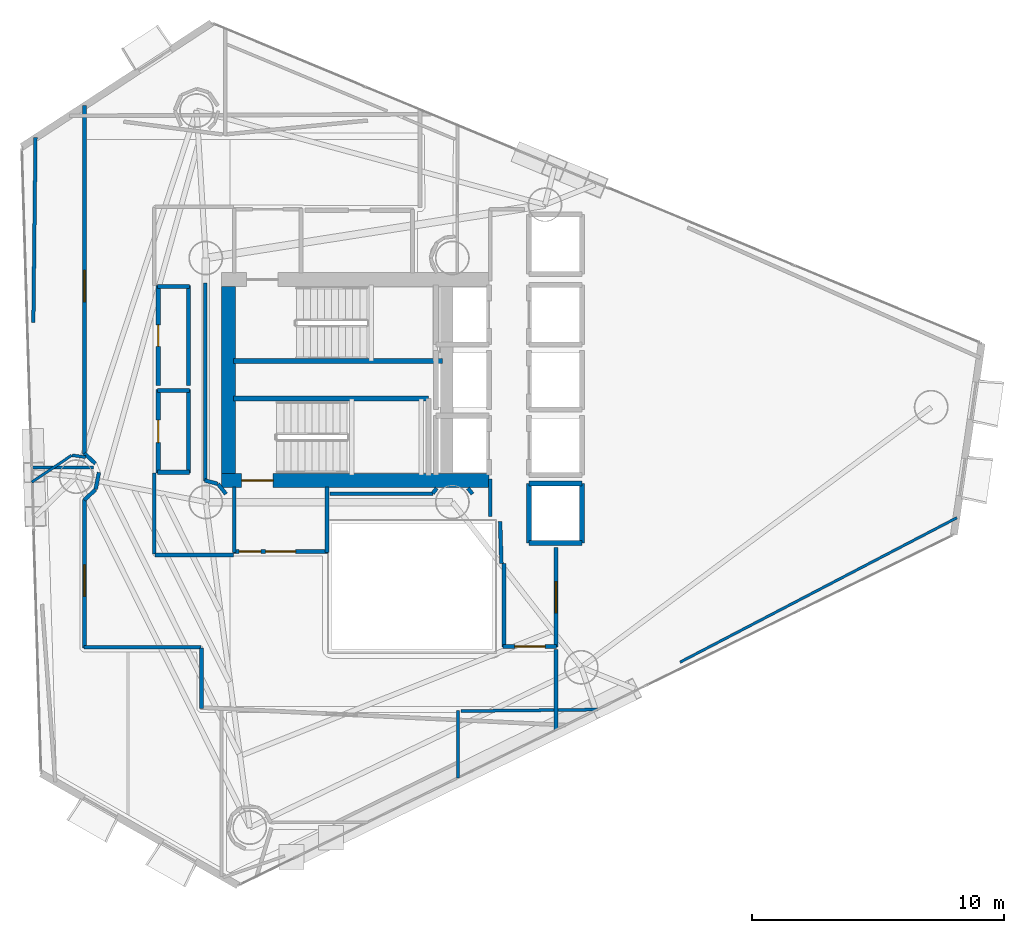
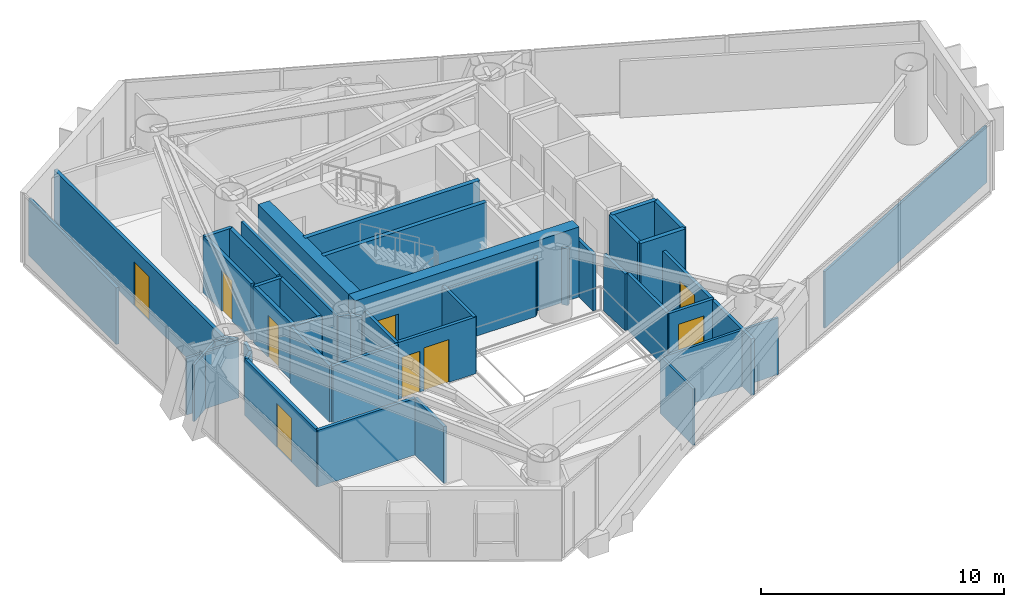
# One storey, part 18 of 22: 46 walls, 9 doors, 9 openings.
"""IFC4 building model written with IfcOpenShell, lengths in metres."""

import ifcopenshell
import ifcopenshell.guid

model = None  # the IFC model being written
_history = None  # IfcOwnerHistory: only IFC2X3 demands one
_inside = {}  # id of a spatial element -> (the spatial element, [elements in it])
_under = {}  # id of a project, library or spatial element -> (it, [spatial elements below it])
_declared = {}  # id of a project -> (the project, [libraries it declares])
_typed = {}  # id of a type object -> (the type object, [elements of that type])
_made_of = {}  # id of a material, layer set ... -> (it, [elements and type objects made of it])


def new_model(schema):
    """Start an empty IFC model of exactly this schema.

    Asked for "IFC4X3", IfcOpenShell would pick the latest addendum, in which some entities
    have other attributes; the version numbers below select the first issue.
    IFC2X3 requires an IfcOwnerHistory on every rooted entity: one is made here for all.
    """
    global model, _history
    if schema == "IFC4X3":
        model = ifcopenshell.file(schema_version=(4, 3, 0, 0))
    else:
        model = ifcopenshell.file(schema=schema)
    _inside.clear()
    _under.clear()
    _declared.clear()
    _typed.clear()
    _made_of.clear()
    _history = None
    if model.schema == "IFC2X3":
        org = make("IfcOrganization", Name="unknown")
        user = make(
            "IfcPersonAndOrganization",
            ThePerson=make("IfcPerson", FamilyName="unknown"),
            TheOrganization=org,
        )
        app = make(
            "IfcApplication",
            ApplicationDeveloper=org,
            Version="unknown",
            ApplicationFullName="unknown",
            ApplicationIdentifier="unknown",
        )
        _history = make(
            "IfcOwnerHistory",
            OwningUser=user,
            OwningApplication=app,
            ChangeAction="ADDED",
            CreationDate=0,
        )
    return model


def make(cls, **values):
    """One entity of the class cls with the attributes given. An attribute that is None is left unset."""
    return model.create_entity(
        cls, **{name: value for name, value in values.items() if value is not None}
    )


def rooted(cls, **values):
    """An entity with a GlobalId (a new one), such as an element, a storey or a relation."""
    return make(cls, GlobalId=ifcopenshell.guid.new(), OwnerHistory=_history, **values)


def si_unit(unit_type, name, prefix=None):
    """IfcSIUnit, for example si_unit("LENGTHUNIT", "METRE", prefix="MILLI")."""
    return make("IfcSIUnit", UnitType=unit_type, Prefix=prefix, Name=name)


def assignment(units):
    """IfcUnitAssignment: the units of a project."""
    return None if units is None else make("IfcUnitAssignment", Units=units)


def point(xyz):
    """IfcCartesianPoint."""
    return None if xyz is None else make("IfcCartesianPoint", Coordinates=xyz)


def direction(xyz):
    """IfcDirection."""
    return None if xyz is None else make("IfcDirection", DirectionRatios=xyz)


def frame(location, z_axis=None, x_axis=None):
    """IfcAxis2Placement3D, a coordinate frame: its origin and axes. An axis left out is left unset."""
    return make(
        "IfcAxis2Placement3D",
        Location=point(location),
        Axis=direction(z_axis),
        RefDirection=direction(x_axis),
    )


def frame_2d(location, x_axis=None):
    """IfcAxis2Placement2D, a coordinate frame in the plane: its origin and x axis."""
    return make(
        "IfcAxis2Placement2D", Location=point(location), RefDirection=direction(x_axis)
    )


def origin():
    """The frame at (0, 0, 0) with its axes left unset."""
    return frame((0.0, 0.0, 0.0))


def place(relative_to, where):
    """IfcLocalPlacement: puts the frame where relative to a parent placement (None: the world)."""
    return make(
        "IfcLocalPlacement", PlacementRelTo=relative_to, RelativePlacement=where
    )


def context(
    kind, dimensions, precision=None, world=None, true_north=None, identifier=None
):
    """IfcGeometricRepresentationContext, for example the 3D "Model" context."""
    return make(
        "IfcGeometricRepresentationContext",
        ContextIdentifier=identifier,
        ContextType=kind,
        CoordinateSpaceDimension=dimensions,
        Precision=precision,
        WorldCoordinateSystem=world,
        TrueNorth=true_north,
    )


def subcontext(parent, identifier, kind, view, scale=None):
    """IfcGeometricRepresentationSubContext, for example "Body" below "Model"."""
    return make(
        "IfcGeometricRepresentationSubContext",
        ContextIdentifier=identifier,
        ContextType=kind,
        ParentContext=parent,
        TargetScale=scale,
        TargetView=view,
    )


def project(units=None, contexts=None):
    """IfcProject with its units and contexts."""
    return rooted(
        "IfcProject",
        Name="project",
        RepresentationContexts=contexts,
        UnitsInContext=assignment(units),
    )


def spatial(cls, under=None, at=None, **own):
    """A site, building, storey or space (cls), placed at a placement, below another one or the project."""
    s = rooted(cls, ObjectPlacement=at, **own)
    if under is not None:
        _under.setdefault(under.id(), (under, []))[1].append(s)
    return s


def profile(cls, at=None, kind="AREA", **sizes):
    """A parametric profile (cls). Its sizes go by their IFC names, for example OverallWidth=200.0."""
    return make(cls, ProfileType=kind, Position=at, **sizes)


def rectangle(**sizes):
    """IfcRectangleProfileDef."""
    return profile("IfcRectangleProfileDef", **sizes)


def extrude(swept, where, along, depth):
    """IfcExtrudedAreaSolid: the profile swept, set in the frame where, extruded along a direction by depth."""
    return make(
        "IfcExtrudedAreaSolid",
        SweptArea=swept,
        Position=where,
        ExtrudedDirection=direction(along),
        Depth=depth,
    )


def shape(context_of_items, identifier, shape_type, items):
    """IfcShapeRepresentation: the items that make up one representation, for example the "Body"."""
    return make(
        "IfcShapeRepresentation",
        ContextOfItems=context_of_items,
        RepresentationIdentifier=identifier,
        RepresentationType=shape_type,
        Items=items,
    )


def material(Name=None, Category=None):
    """IfcMaterial."""
    return make("IfcMaterial", Name=Name, Category=Category)


def layer(
    of_material, thickness, ventilated=None, Name=None, Category=None, Priority=None
):
    """IfcMaterialLayer: one layer of a wall or slab, of a material (None: an air gap)."""
    return make(
        "IfcMaterialLayer",
        Material=of_material,
        LayerThickness=thickness,
        IsVentilated=ventilated,
        Name=Name,
        Category=Category,
        Priority=Priority,
    )


def layer_set(layers, Name=None):
    """IfcMaterialLayerSet."""
    return make("IfcMaterialLayerSet", MaterialLayers=layers, LayerSetName=Name)


def made_of(thing, what):
    """Note that an element or type object is made of a material, layer set ...; save() writes the relation."""
    if what is not None:
        _made_of.setdefault(what.id(), (what, []))[1].append(thing)
    return thing


def type_object(cls, material=None, **own):
    """A type object (cls), such as IfcWallType, which elements share."""
    return made_of(rooted(cls, **own), material)


def element(
    cls,
    number,
    at=None,
    inside=None,
    cuts=None,
    type_object=None,
    material=None,
    context=None,
    identifier="Body",
    shape_type=None,
    held_by="IfcProductDefinitionShape",
    body=None,
    shapes=None,
    **own,
):
    """One element of the class cls, such as IfcWall. Its Tag is "e" and its number.

    at: its placement. inside: the storey or other place that contains it. cuts: it is an
    opening in that element (IfcRelVoidsElement). A single representation is given by context,
    identifier, shape_type and body (its items); several are given by shapes. held_by: the class
    of the entity that holds the representations. save() writes the other relations.
    """
    e = rooted(cls, Tag="e%d" % number, ObjectPlacement=at, **own)
    if body is not None:
        shapes = [shape(context, identifier, shape_type, body)]
    if shapes is not None:
        e.Representation = make(held_by, Representations=shapes)
    if inside is not None:
        _inside.setdefault(inside.id(), (inside, []))[1].append(e)
    if cuts is not None:
        rooted(
            "IfcRelVoidsElement", RelatingBuildingElement=cuts, RelatedOpeningElement=e
        )
    if type_object is not None:
        _typed.setdefault(type_object.id(), (type_object, []))[1].append(e)
    return made_of(e, material)


def fill(opening, filler):
    """IfcRelFillsElement: the door or window that sits in an opening."""
    return rooted(
        "IfcRelFillsElement",
        RelatingOpeningElement=opening,
        RelatedBuildingElement=filler,
    )


def aggregate(whole, parts):
    """IfcRelAggregates: a whole, such as a stair, and the parts it consists of."""
    return rooted("IfcRelAggregates", RelatingObject=whole, RelatedObjects=parts)


def save(model, path):
    """Write the relations noted so far, then the file.

    IfcRelAggregates (storeys below a building ...), IfcRelContainedInSpatialStructure (elements
    in a storey), IfcRelDefinesByType, IfcRelAssociatesMaterial and IfcRelDeclares: one each for
    every whole, place, type object, material and project.
    """
    for whole, parts in _under.values():
        aggregate(whole, parts)
    for where, things in _inside.values():
        rooted(
            "IfcRelContainedInSpatialStructure",
            RelatedElements=things,
            RelatingStructure=where,
        )
    for kind, things in _typed.values():
        rooted("IfcRelDefinesByType", RelatedObjects=things, RelatingType=kind)
    for what, things in _made_of.values():
        rooted("IfcRelAssociatesMaterial", RelatedObjects=things, RelatingMaterial=what)
    for by, libraries in _declared.values():
        rooted("IfcRelDeclares", RelatingContext=by, RelatedDefinitions=libraries)
    model.write(path)


model = new_model("IFC4")

# Units and contexts
model_context = context("Model", 3, precision=1e-05, world=origin(), true_north=direction((0.0, 1.0)))
body_context = subcontext(model_context, "Body", "Model", "MODEL_VIEW")
ifc_project = project(units=[si_unit("LENGTHUNIT", "METRE"), si_unit("AREAUNIT", "SQUARE_METRE"), si_unit("VOLUMEUNIT", "CUBIC_METRE"), si_unit("PLANEANGLEUNIT", "RADIAN"), si_unit("MASSUNIT", "GRAM", prefix="KILO")], contexts=[model_context])

# Site, building, storey
site_placement = place(None, origin())
site = spatial("IfcSite", under=ifc_project, at=site_placement, CompositionType="ELEMENT")
building_placement = place(site_placement, origin())
building = spatial("IfcBuilding", under=site, at=building_placement, Name="Qianvela Tower", CompositionType="ELEMENT")
storey_placement = place(building_placement, frame((0.0, 0.0, 155.0)))
storey = spatial("IfcBuildingStorey", under=building, at=storey_placement, Name="L39", CompositionType="ELEMENT", Elevation=155.0)

# Wall, opening, door
ifc_material_1 = material(Name="Concrete C60", Category="concrete")
ifc_layer_1 = layer(ifc_material_1, 0.550048828125)
ifc_layer_set_1 = layer_set([ifc_layer_1], Name="Concrete C60")
wall_type_1 = type_object("IfcWallType", Name="WT-CORE-550", PredefinedType="SHEAR", material=ifc_layer_set_1)
wall_1_placement = place(storey_placement, frame((29.22998046875, 24.705078125, 0.0), z_axis=(0.0, 0.0, 1.0), x_axis=(1.0, 0.0, 0.0)))
wall_1 = element("IfcWall", 1, at=wall_1_placement, inside=storey, type_object=wall_type_1, Name="L39 South Core Shear Wall", PredefinedType="SHEAR", context=body_context, shape_type="SweptSolid", body=[
    extrude(rectangle(XDim=10.6201171875, YDim=0.550048828125, at=frame_2d((5.31005859375, 0.0))), origin(), (0.0, 0.0, 1.0), 3.52001953125),
])
opening_1_placement = place(wall_1_placement, frame((0.794921875, 0.0, 0.0)))
opening_1 = element("IfcOpeningElement", 2, at=opening_1_placement, cuts=wall_1, Name="Opening D-ST1", PredefinedType="OPENING", context=body_context, shape_type="SweptSolid", body=[
    extrude(rectangle(XDim=1.25, YDim=2.14990234375, at=frame_2d((0.625, 1.074951171875))), frame((0.0, 0.284912109375, 0.0), z_axis=(0.0, -1.0, 0.0), x_axis=(1.0, 0.0, 0.0)), (0.0, 0.0, 1.0), 0.570068359375),
])
ifc_material_2 = material(Name="Galvanised Fire Steel Q355B", Category="steel")
door_type_1 = type_object("IfcDoorType", Name="DT-STAIR-FD90", OperationType="NOTDEFINED", PredefinedType="DOOR", material=ifc_material_2)
door_1_placement = place(opening_1_placement, origin())
door_1 = element("IfcDoor", 3, at=door_1_placement, inside=storey, type_object=door_type_1, Name="L39 Stair ST-2 Exit Door", OperationType="SINGLE_SWING_LEFT", OverallHeight=2.14990234375, OverallWidth=1.25, PredefinedType="DOOR", context=body_context, shape_type="SweptSolid", body=[
    extrude(rectangle(XDim=1.25, YDim=2.14990234375, at=frame_2d((0.625, 1.074951171875))), frame((0.0, 0.02490234375, 0.0), z_axis=(0.0, -1.0, 0.0), x_axis=(1.0, 0.0, 0.0)), (0.0, 0.0, 1.0), 0.050048828125),
])
fill(opening_1, door_1)

# Wall
wall_2_placement = place(storey_placement, frame((29.5048828125, 24.97998046875, 0.0), z_axis=(0.0, 0.0, 1.0), x_axis=(0.0, 1.0, 0.0)))
element("IfcWall", 4, at=wall_2_placement, inside=storey, type_object=wall_type_1, Name="L39 West Core Shear Wall", PredefinedType="SHEAR", context=body_context, shape_type="SweptSolid", body=[
    extrude(rectangle(XDim=7.43994140625, YDim=0.550048828125, at=frame_2d((3.719970703125, 0.0))), origin(), (0.0, 0.0, 1.0), 3.52001953125),
])

# Wall, openings, doors
ifc_material_3 = material(Name="Fire-Rated Acoustic Gypsum Board")
ifc_layer_2 = layer(ifc_material_3, 0.14990234375)
ifc_layer_set_2 = layer_set([ifc_layer_2], Name="Fire-Rated Acoustic Gypsum Board")
wall_type_2 = type_object("IfcWallType", Name="WT-CORR-150", PredefinedType="PARTITIONING", material=ifc_layer_set_2)
wall_3_placement = place(storey_placement, frame((33.449951171875, 21.881103515625, 0.0), z_axis=(0.0, 0.0, 1.0), x_axis=(-1.0, 0.0, 0.0)))
wall_3 = element("IfcWall", 5, at=wall_3_placement, inside=storey, type_object=wall_type_2, Name="L39 Partition 5", PredefinedType="PARTITIONING", context=body_context, shape_type="SweptSolid", body=[
    extrude(rectangle(XDim=3.75, YDim=0.14990234375, at=frame_2d((1.875, 0.0))), origin(), (0.0, 0.0, 1.0), 2.840087890625),
])
opening_2_placement = place(wall_3_placement, frame((1.27490234375, 0.0, 0.0)))
opening_2 = element("IfcOpeningElement", 6, at=opening_2_placement, cuts=wall_3, Name="Opening D-LB1", PredefinedType="OPENING", context=body_context, shape_type="SweptSolid", body=[
    extrude(rectangle(XDim=1.199951171875, YDim=2.14990234375, at=frame_2d((0.60009765625, 1.074951171875))), frame((0.0, 0.0849609375, 0.0), z_axis=(0.0, -1.0, 0.0), x_axis=(1.0, 0.0, 0.0)), (0.0, 0.0, 1.0), 0.169921875),
])
opening_3_placement = place(wall_3_placement, frame((2.659912109375, 0.0, 0.0)))
opening_3 = element("IfcOpeningElement", 7, at=opening_3_placement, cuts=wall_3, Name="Opening D-LB2", PredefinedType="OPENING", context=body_context, shape_type="SweptSolid", body=[
    extrude(rectangle(XDim=0.860107421875, YDim=2.050048828125, at=frame_2d((0.43017578125, 1.02490234375))), frame((0.0, 0.0849609375, 0.0), z_axis=(0.0, -1.0, 0.0), x_axis=(1.0, 0.0, 0.0)), (0.0, 0.0, 1.0), 0.169921875),
])
ifc_material_4 = material(Name="Glazed Fire-Rated Steel Frame", Category="steel")
door_type_2 = type_object("IfcDoorType", Name="DT-LOBBY-FD90", OperationType="NOTDEFINED", PredefinedType="DOOR", material=ifc_material_4)
door_2_placement = place(opening_2_placement, origin())
door_2 = element("IfcDoor", 8, at=door_2_placement, inside=storey, type_object=door_type_2, Name="L39 Door L39 Firefighting Lobby South to L39 Floor Corridor", OperationType="SINGLE_SWING_RIGHT", OverallHeight=2.14990234375, OverallWidth=1.199951171875, PredefinedType="DOOR", context=body_context, shape_type="SweptSolid", body=[
    extrude(rectangle(XDim=1.199951171875, YDim=2.14990234375, at=frame_2d((0.60009765625, 1.074951171875))), frame((0.0, 0.02490234375, 0.0), z_axis=(0.0, -1.0, 0.0), x_axis=(1.0, 0.0, 0.0)), (0.0, 0.0, 1.0), 0.050048828125),
])
fill(opening_2, door_2)
ifc_material_5 = material(Name="Insulated Steel Fire Door Q355B", Category="steel")
door_type_3 = type_object("IfcDoorType", Name="DT-LOBBY-FD90-860", OperationType="NOTDEFINED", PredefinedType="DOOR", material=ifc_material_5)
door_3_placement = place(opening_3_placement, origin())
door_3 = element("IfcDoor", 9, at=door_3_placement, inside=storey, type_object=door_type_3, Name="L39 Door L39 Firefighting Lobby South to L39 Floor Corridor", OperationType="SINGLE_SWING_RIGHT", OverallHeight=2.050048828125, OverallWidth=0.860107421875, PredefinedType="DOOR", context=body_context, shape_type="SweptSolid", body=[
    extrude(rectangle(XDim=0.860107421875, YDim=2.050048828125, at=frame_2d((0.43017578125, 1.02490234375))), frame((0.0, 0.02490234375, 0.0), z_axis=(0.0, -1.0, 0.0), x_axis=(1.0, 0.0, 0.0)), (0.0, 0.0, 1.0), 0.050048828125),
])
fill(opening_3, door_3)

# Walls
for number, where, z_axis, x_axis, name in (
    (10, (29.73095703125, 21.85009765625, 0.0), (0.0, 0.0, 1.0), (0.0, 1.0, 0.0), "L39 Partition 6"),
    (11, (33.4189453125, 24.44189453125, 0.0), (0.0, 0.0, 1.0), (0.0, -1.0, 0.0), "L39 Partition 8"),
):
    element("IfcWall", number, at=place(storey_placement, frame(where, z_axis=z_axis, x_axis=x_axis)), inside=storey, type_object=wall_type_2, Name=name, PredefinedType="PARTITIONING", context=body_context, shape_type="SweptSolid", body=[
        extrude(rectangle(XDim=2.591796875, YDim=0.14990234375, at=frame_2d((1.2958984375, 0.0))), origin(), (0.0, 0.0, 1.0), 2.840087890625),
    ])
wall_4_placement = place(storey_placement, frame((40.35107421875, 21.40087890625, 0.0), z_axis=(0.0, 0.0, 1.0), x_axis=(-0.031058045979, 0.999517582527, 0.0)))
element("IfcWall", 12, at=wall_4_placement, inside=storey, type_object=wall_type_2, Name="L39 Partition 9", PredefinedType="PARTITIONING", context=body_context, shape_type="SweptSolid", body=[
    extrude(rectangle(XDim=1.68212890625, YDim=0.14990234375, at=frame_2d((0.841064453125, 0.0))), origin(), (0.0, 0.0, 1.0), 2.840087890625),
])
wall_5_placement = place(storey_placement, frame((39.910888671875, 23.280029296875, 0.0), z_axis=(0.0, 0.0, 1.0), x_axis=(0.0, 1.0, 0.0)))
element("IfcWall", 13, at=wall_5_placement, inside=storey, type_object=wall_type_2, Name="L39 Partition 10", PredefinedType="PARTITIONING", context=body_context, shape_type="SweptSolid", body=[
    extrude(rectangle(XDim=1.47998046875, YDim=0.14990234375, at=frame_2d((0.739990234375, 0.0))), origin(), (0.0, 0.0, 1.0), 2.840087890625),
])

# Wall, opening, door
wall_6_placement = place(storey_placement, frame((42.51904296875, 22.050048828125, 0.0), z_axis=(0.0, 0.0, 1.0), x_axis=(0.0, -1.0, 0.0)))
wall_6 = element("IfcWall", 14, at=wall_6_placement, inside=storey, type_object=wall_type_2, Name="L39 Partition 17", PredefinedType="PARTITIONING", context=body_context, shape_type="SweptSolid", body=[
    extrude(rectangle(XDim=3.969970703125, YDim=0.14990234375, at=frame_2d((1.98486328125, 0.0))), origin(), (0.0, 0.0, 1.0), 2.840087890625),
])
opening_4_placement = place(wall_6_placement, frame((1.360107421875, 0.0, 0.0)))
opening_4 = element("IfcOpeningElement", 15, at=opening_4_placement, cuts=wall_6, Name="Opening D-LG1", PredefinedType="OPENING", context=body_context, shape_type="SweptSolid", body=[
    extrude(rectangle(XDim=1.25, YDim=2.199951171875, at=frame_2d((0.625, 1.10009765625))), frame((0.0, 0.0849609375, 0.0), z_axis=(0.0, -1.0, 0.0), x_axis=(1.0, 0.0, 0.0)), (0.0, 0.0, 1.0), 0.169921875),
])
ifc_material_6 = material(Name="Anodised Aluminium Acoustic Glass Door", Category="aluminium")
door_type_4 = type_object("IfcDoorType", Name="DT-LOUNGE-1250", OperationType="NOTDEFINED", PredefinedType="DOOR", material=ifc_material_6)
door_4_placement = place(opening_4_placement, origin())
door_4 = element("IfcDoor", 16, at=door_4_placement, inside=storey, type_object=door_type_4, Name="L39 Door Media Practice Cinema L39-03 to L39 Lift Lobby", OperationType="SINGLE_SWING_LEFT", OverallHeight=2.199951171875, OverallWidth=1.25, PredefinedType="DOOR", context=body_context, shape_type="SweptSolid", body=[
    extrude(rectangle(XDim=1.25, YDim=2.199951171875, at=frame_2d((0.625, 1.10009765625))), frame((0.0, 0.02490234375, 0.0), z_axis=(0.0, -1.0, 0.0), x_axis=(1.0, 0.0, 0.0)), (0.0, 0.0, 1.0), 0.050048828125),
])
fill(opening_4, door_4)

wall_7_placement = place(storey_placement, frame((42.550048828125, 18.111083984375, 0.0), z_axis=(0.0, 0.0, 1.0), x_axis=(-1.0, 0.0, 0.0)))
wall_7 = element("IfcWall", 17, at=wall_7_placement, inside=storey, type_object=wall_type_2, Name="L39 Partition 18", PredefinedType="PARTITIONING", context=body_context, shape_type="SweptSolid", body=[
    extrude(rectangle(XDim=2.130126953125, YDim=0.14990234375, at=frame_2d((1.06494140625, 0.0))), origin(), (0.0, 0.0, 1.0), 2.840087890625),
])
opening_5_placement = place(wall_7_placement, frame((0.465087890625, 0.0, 0.0)))
opening_5 = element("IfcOpeningElement", 18, at=opening_5_placement, cuts=wall_7, Name="Opening D-LB1", PredefinedType="OPENING", context=body_context, shape_type="SweptSolid", body=[
    extrude(rectangle(XDim=1.199951171875, YDim=2.14990234375, at=frame_2d((0.60009765625, 1.074951171875))), frame((0.0, 0.0849609375, 0.0), z_axis=(0.0, -1.0, 0.0), x_axis=(1.0, 0.0, 0.0)), (0.0, 0.0, 1.0), 0.169921875),
])
door_5_placement = place(opening_5_placement, origin())
door_5 = element("IfcDoor", 19, at=door_5_placement, inside=storey, type_object=door_type_2, Name="L39 Door L39 Lift Lobby to L39 Floor Corridor", OperationType="SINGLE_SWING_LEFT", OverallHeight=2.14990234375, OverallWidth=1.199951171875, PredefinedType="DOOR", context=body_context, shape_type="SweptSolid", body=[
    extrude(rectangle(XDim=1.199951171875, YDim=2.14990234375, at=frame_2d((0.60009765625, 1.074951171875))), frame((0.0, 0.02490234375, 0.0), z_axis=(0.0, -1.0, 0.0), x_axis=(1.0, 0.0, 0.0)), (0.0, 0.0, 1.0), 0.050048828125),
])
fill(opening_5, door_5)

# Walls
wall_8_placement = place(storey_placement, frame((40.450927734375, 18.080078125, 0.0), z_axis=(0.0, 0.0, 1.0), x_axis=(0.0, 1.0, 0.0)))
element("IfcWall", 20, at=wall_8_placement, inside=storey, type_object=wall_type_2, Name="L39 Partition 19 seg 1", PredefinedType="PARTITIONING", context=body_context, shape_type="SweptSolid", body=[
    extrude(rectangle(XDim=3.31982421875, YDim=0.14990234375, at=frame_2d((1.659912109375, 0.0))), origin(), (0.0, 0.0, 1.0), 2.840087890625),
])
wall_9_placement = place(storey_placement, frame((29.401611328125, 24.169189453125, 0.0), z_axis=(0.0, 0.0, 1.0), x_axis=(-0.622091855036, 0.782944266151, 0.0)))
element("IfcWall", 21, at=wall_9_placement, inside=storey, type_object=wall_type_2, Name="L39 Partition 36", PredefinedType="PARTITIONING", context=body_context, shape_type="SweptSolid", body=[
    extrude(rectangle(XDim=0.50390625, YDim=0.14990234375, at=frame_2d((0.251953125, 0.0))), origin(), (0.0, 0.0, 1.0), 2.840087890625),
])
wall_10_placement = place(storey_placement, frame((29.07177734375, 24.57421875, 0.0), z_axis=(0.0, 0.0, 1.0), x_axis=(-0.966842101769, 0.255374920942, 0.0)))
element("IfcWall", 22, at=wall_10_placement, inside=storey, type_object=wall_type_2, Name="L39 Partition 37", PredefinedType="PARTITIONING", context=body_context, shape_type="SweptSolid", body=[
    extrude(rectangle(XDim=0.531494140625, YDim=0.14990234375, at=frame_2d((0.265625, 0.0))), origin(), (0.0, 0.0, 1.0), 2.840087890625),
])
wall_11_placement = place(storey_placement, frame((28.5810546875, 24.68017578125, 0.0), z_axis=(0.0, 0.0, 1.0), x_axis=(0.0, 1.0, 0.0)))
element("IfcWall", 23, at=wall_11_placement, inside=storey, type_object=wall_type_2, Name="L39 Partition 38", PredefinedType="PARTITIONING", context=body_context, shape_type="SweptSolid", body=[
    extrude(rectangle(XDim=7.869873046875, YDim=0.14990234375, at=frame_2d((3.93505859375, 0.0))), origin(), (0.0, 0.0, 1.0), 2.840087890625),
])
wall_12_placement = place(storey_placement, frame((39.20166015625, 24.169189453125, 0.0), z_axis=(0.0, 0.0, 1.0), x_axis=(-0.622453876994, 0.782656483405, 0.0)))
element("IfcWall", 24, at=wall_12_placement, inside=storey, type_object=wall_type_2, Name="L39 Partition 43", PredefinedType="PARTITIONING", context=body_context, shape_type="SweptSolid", body=[
    extrude(rectangle(XDim=0.29248046875, YDim=0.14990234375, at=frame_2d((0.146240234375, 0.0))), origin(), (0.0, 0.0, 1.0), 2.840087890625),
])
wall_13_placement = place(storey_placement, frame((37.780517578125, 24.398193359375, 0.0), z_axis=(0.0, 0.0, 1.0), x_axis=(-0.622697708845, -0.782462499676, 0.0)))
element("IfcWall", 25, at=wall_13_placement, inside=storey, type_object=wall_type_2, Name="L39 Partition 46", PredefinedType="PARTITIONING", context=body_context, shape_type="SweptSolid", body=[
    extrude(rectangle(XDim=0.253662109375, YDim=0.14990234375, at=frame_2d((0.126953125, 0.0))), origin(), (0.0, 0.0, 1.0), 2.840087890625),
])
wall_14_placement = place(storey_placement, frame((37.62255859375, 24.180908203125, 0.0), z_axis=(0.0, 0.0, 1.0), x_axis=(-1.0, 0.0, 0.0)))
element("IfcWall", 26, at=wall_14_placement, inside=storey, type_object=wall_type_2, Name="L39 Partition 47", PredefinedType="PARTITIONING", context=body_context, shape_type="SweptSolid", body=[
    extrude(rectangle(XDim=4.092529296875, YDim=0.14990234375, at=frame_2d((2.04638671875, 0.0))), origin(), (0.0, 0.0, 1.0), 2.840087890625),
])
wall_15_placement = place(storey_placement, frame((24.211181640625, 25.37890625, 0.0), z_axis=(0.0, 0.0, 1.0), x_axis=(-0.735475561179, 0.677551251868, 0.0)))
element("IfcWall", 27, at=wall_15_placement, inside=storey, type_object=wall_type_2, Name="L39 Partition 48", PredefinedType="PARTITIONING", context=body_context, shape_type="SweptSolid", body=[
    extrude(rectangle(XDim=0.598388671875, YDim=0.14990234375, at=frame_2d((0.29931640625, 0.0))), origin(), (0.0, 0.0, 1.0), 2.840087890625),
])

# Wall, opening, door
wall_16_placement = place(storey_placement, frame((23.781005859375, 25.76171875, 0.0), z_axis=(0.0, 0.0, 1.0), x_axis=(0.0, 1.0, 0.0)))
wall_16 = element("IfcWall", 28, at=wall_16_placement, inside=storey, type_object=wall_type_2, Name="L39 Partition 49", PredefinedType="PARTITIONING", context=body_context, shape_type="SweptSolid", body=[
    extrude(rectangle(XDim=13.855712890625, YDim=0.14990234375, at=frame_2d((6.927734375, 0.0))), origin(), (0.0, 0.0, 1.0), 2.840087890625),
])
opening_6_placement = place(wall_16_placement, frame((6.044189453125, 0.0, 0.0)))
opening_6 = element("IfcOpeningElement", 29, at=opening_6_placement, cuts=wall_16, Name="Opening D-LG1", PredefinedType="OPENING", context=body_context, shape_type="SweptSolid", body=[
    extrude(rectangle(XDim=1.25, YDim=2.199951171875, at=frame_2d((0.625, 1.10009765625))), frame((0.0, 0.0849609375, 0.0), z_axis=(0.0, -1.0, 0.0), x_axis=(1.0, 0.0, 0.0)), (0.0, 0.0, 1.0), 0.169921875),
])
door_6_placement = place(opening_6_placement, origin())
door_6 = element("IfcDoor", 30, at=door_6_placement, inside=storey, type_object=door_type_4, Name="L39 Door Panoramic Study Lounge L39-05 to L39 Floor Corridor", OperationType="SINGLE_SWING_LEFT", OverallHeight=2.199951171875, OverallWidth=1.25, PredefinedType="DOOR", context=body_context, shape_type="SweptSolid", body=[
    extrude(rectangle(XDim=1.25, YDim=2.199951171875, at=frame_2d((0.625, 1.10009765625))), frame((0.0, 0.02490234375, 0.0), z_axis=(0.0, -1.0, 0.0), x_axis=(1.0, 0.0, 0.0)), (0.0, 0.0, 1.0), 0.050048828125),
])
fill(opening_6, door_6)

# Walls
wall_17_placement = place(storey_placement, frame((26.549072265625, 25.0, 0.0), z_axis=(0.0, 0.0, 1.0), x_axis=(0.0, -1.0, 0.0)))
element("IfcWall", 31, at=wall_17_placement, inside=storey, type_object=wall_type_2, Name="L39 Partition 53 seg 3", PredefinedType="PARTITIONING", context=body_context, shape_type="SweptSolid", body=[
    extrude(rectangle(XDim=3.219970703125, YDim=0.14990234375, at=frame_2d((1.60986328125, 0.0))), origin(), (0.0, 0.0, 1.0), 2.840087890625),
])
wall_18_placement = place(storey_placement, frame((26.580078125, 21.7490234375, 0.0), z_axis=(0.0, 0.0, 1.0), x_axis=(1.0, 0.0, 0.0)))
element("IfcWall", 32, at=wall_18_placement, inside=storey, type_object=wall_type_2, Name="L39 Partition 54 seg 1", PredefinedType="PARTITIONING", context=body_context, shape_type="SweptSolid", body=[
    extrude(rectangle(XDim=3.119873046875, YDim=0.14990234375, at=frame_2d((1.56005859375, 0.0))), origin(), (0.0, 0.0, 1.0), 2.840087890625),
])
wall_19_placement = place(storey_placement, frame((42.51904296875, 17.97998046875, 0.0), z_axis=(0.0, 0.0, 1.0), x_axis=(0.0, -1.0, 0.0)))
element("IfcWall", 33, at=wall_19_placement, inside=storey, type_object=wall_type_2, Name="L39 Partition 56 seg 1", PredefinedType="PARTITIONING", context=body_context, shape_type="SweptSolid", body=[
    extrude(rectangle(XDim=3.201171875, YDim=0.14990234375, at=frame_2d((1.6005859375, 0.0))), origin(), (0.0, 0.0, 1.0), 2.840087890625),
])
wall_20_placement = place(storey_placement, frame((28.430908203125, 15.64990234375, 0.0), z_axis=(0.0, 0.0, 1.0), x_axis=(0.0, 1.0, 0.0)))
element("IfcWall", 34, at=wall_20_placement, inside=storey, type_object=wall_type_2, Name="L39 Partition 58", PredefinedType="PARTITIONING", context=body_context, shape_type="SweptSolid", body=[
    extrude(rectangle(XDim=2.400146484375, YDim=0.14990234375, at=frame_2d((1.2001953125, 0.0))), origin(), (0.0, 0.0, 1.0), 2.840087890625),
])
wall_21_placement = place(storey_placement, frame((28.39990234375, 18.0810546875, 0.0), z_axis=(0.0, 0.0, 1.0), x_axis=(-1.0, 0.0, 0.0)))
element("IfcWall", 35, at=wall_21_placement, inside=storey, type_object=wall_type_2, Name="L39 Partition 59", PredefinedType="PARTITIONING", context=body_context, shape_type="SweptSolid", body=[
    extrude(rectangle(XDim=4.64990234375, YDim=0.14990234375, at=frame_2d((2.324951171875, 0.0))), origin(), (0.0, 0.0, 1.0), 2.840087890625),
])

# Wall, opening, door
wall_22_placement = place(storey_placement, frame((23.781005859375, 18.050048828125, 0.0), z_axis=(0.0, 0.0, 1.0), x_axis=(0.0, 1.0, 0.0)))
wall_22 = element("IfcWall", 36, at=wall_22_placement, inside=storey, type_object=wall_type_2, Name="L39 Partition 60", PredefinedType="PARTITIONING", context=body_context, shape_type="SweptSolid", body=[
    extrude(rectangle(XDim=5.90625, YDim=0.14990234375, at=frame_2d((2.953125, 0.0))), origin(), (0.0, 0.0, 1.0), 2.840087890625),
])
opening_7_placement = place(wall_22_placement, frame((2.048095703125, 0.0, 0.0)))
opening_7 = element("IfcOpeningElement", 37, at=opening_7_placement, cuts=wall_22, Name="Opening D-LG1", PredefinedType="OPENING", context=body_context, shape_type="SweptSolid", body=[
    extrude(rectangle(XDim=1.25, YDim=2.199951171875, at=frame_2d((0.625, 1.10009765625))), frame((0.0, 0.0849609375, 0.0), z_axis=(0.0, -1.0, 0.0), x_axis=(1.0, 0.0, 0.0)), (0.0, 0.0, 1.0), 0.169921875),
])
door_7_placement = place(opening_7_placement, origin())
door_7 = element("IfcDoor", 38, at=door_7_placement, inside=storey, type_object=door_type_4, Name="L39 Door Maker Craft Workshop L39-01 to L39 Floor Corridor", OperationType="SINGLE_SWING_LEFT", OverallHeight=2.199951171875, OverallWidth=1.25, PredefinedType="DOOR", context=body_context, shape_type="SweptSolid", body=[
    extrude(rectangle(XDim=1.25, YDim=2.199951171875, at=frame_2d((0.625, 1.10009765625))), frame((0.0, 0.02490234375, 0.0), z_axis=(0.0, -1.0, 0.0), x_axis=(1.0, 0.0, 0.0)), (0.0, 0.0, 1.0), 0.050048828125),
])
fill(opening_7, door_7)

# Walls
wall_23_placement = place(storey_placement, frame((23.77099609375, 23.93359375, 0.0), z_axis=(0.0, 0.0, 1.0), x_axis=(0.735475561179, 0.677551251868, 0.0)))
element("IfcWall", 39, at=wall_23_placement, inside=storey, type_object=wall_type_2, Name="L39 Partition 61", PredefinedType="PARTITIONING", context=body_context, shape_type="SweptSolid", body=[
    extrude(rectangle(XDim=0.598388671875, YDim=0.14990234375, at=frame_2d((0.29931640625, 0.0))), origin(), (0.0, 0.0, 1.0), 2.840087890625),
])
wall_24_placement = place(storey_placement, frame((24.220703125, 24.355712890625, 0.0), z_axis=(0.0, 0.0, 1.0), x_axis=(0.19495084259, 0.980813014276, 0.0)))
element("IfcWall", 40, at=wall_24_placement, inside=storey, type_object=wall_type_2, Name="L39 Partition 62", PredefinedType="PARTITIONING", context=body_context, shape_type="SweptSolid", body=[
    extrude(rectangle(XDim=0.68505859375, YDim=0.14990234375, at=frame_2d((0.342529296875, 0.0))), origin(), (0.0, 0.0, 1.0), 2.840087890625),
])
ifc_material_7 = material(Name="Lightweight Gypsum Room Partition")
ifc_layer_3 = layer(ifc_material_7, 0.10498046875)
ifc_layer_set_3 = layer_set([ifc_layer_3], Name="Lightweight Gypsum Room Partition")
wall_type_3 = type_object("IfcWallType", Name="WT-PART-105", PredefinedType="PARTITIONING", material=ifc_layer_set_3)
wall_25_placement = place(storey_placement, frame((38.626953125, 15.570068359375, 0.0), z_axis=(0.0, 0.0, 1.0), x_axis=(0.0, -1.0, 0.0)))
element("IfcWall", 41, at=wall_25_placement, inside=storey, type_object=wall_type_3, Name="L39 Partition 88", PredefinedType="PARTITIONING", context=body_context, shape_type="SweptSolid", body=[
    extrude(rectangle(XDim=2.698974609375, YDim=0.10498046875, at=frame_2d((1.349609375, 0.0))), origin(), (0.0, 0.0, 1.0), 2.840087890625),
])
wall_26_placement = place(storey_placement, frame((58.45458984375, 23.223876953125, 0.0), z_axis=(0.0, 0.0, 1.0), x_axis=(-0.886608354829, -0.462520945632, 0.0)))
element("IfcWall", 42, at=wall_26_placement, inside=storey, type_object=wall_type_3, Name="L39 Partition 97 seg 1", PredefinedType="PARTITIONING", context=body_context, shape_type="SweptSolid", body=[
    extrude(rectangle(XDim=12.406005859375, YDim=0.10498046875, at=frame_2d((6.203125, 0.0))), origin(), (0.0, 0.0, 1.0), 2.840087890625),
])
wall_27_placement = place(storey_placement, frame((23.265869140625, 25.70361328125, 0.0), z_axis=(0.0, 0.0, 1.0), x_axis=(-0.830193182511, -0.557475810876, 0.0)))
element("IfcWall", 43, at=wall_27_placement, inside=storey, type_object=wall_type_3, Name="L39 Partition 121", PredefinedType="PARTITIONING", context=body_context, shape_type="SweptSolid", body=[
    extrude(rectangle(XDim=1.906005859375, YDim=0.10498046875, at=frame_2d((0.953125, 0.0))), origin(), (0.0, 0.0, 1.0), 2.840087890625),
])
ifc_material_8 = material(Name="Insulated Gypsum Stud Partition")
ifc_layer_4 = layer(ifc_material_8, 0.1201171875)
ifc_layer_set_4 = layer_set([ifc_layer_4], Name="Insulated Gypsum Stud Partition")
wall_type_4 = type_object("IfcWallType", Name="WT-PART-120", PredefinedType="PARTITIONING", material=ifc_layer_set_4)
wall_28_placement = place(storey_placement, frame((21.66259765625, 25.22705078125, 0.0), z_axis=(0.0, 0.0, 1.0), x_axis=(1.0, 0.0, 0.0)))
element("IfcWall", 44, at=wall_28_placement, inside=storey, type_object=wall_type_4, Name="L39 Partition 63", PredefinedType="PARTITIONING", context=body_context, shape_type="SweptSolid", body=[
    extrude(rectangle(XDim=2.481689453125, YDim=0.1201171875, at=frame_2d((1.24072265625, 0.0))), origin(), (0.0, 0.0, 1.0), 2.840087890625),
])
wall_29_placement = place(storey_placement, frame((38.7421875, 15.5390625, 0.0), z_axis=(0.0, 0.0, 1.0), x_axis=(0.999940745371, 0.010886034477, 0.0)))
element("IfcWall", 45, at=wall_29_placement, inside=storey, type_object=wall_type_4, Name="L39 Partition 99", PredefinedType="PARTITIONING", context=body_context, shape_type="SweptSolid", body=[
    extrude(rectangle(XDim=5.42724609375, YDim=0.1201171875, at=frame_2d((2.713623046875, 0.0))), origin(), (0.0, 0.0, 1.0), 2.840087890625),
])
wall_30_placement = place(storey_placement, frame((23.823486328125, 25.63232421875, 0.0), z_axis=(0.0, 0.0, 1.0), x_axis=(-0.99004848034, 0.140726708823, 0.0)))
element("IfcWall", 46, at=wall_30_placement, inside=storey, type_object=wall_type_4, Name="L39 Partition 120", PredefinedType="PARTITIONING", context=body_context, shape_type="SweptSolid", body=[
    extrude(rectangle(XDim=0.541259765625, YDim=0.1201171875, at=frame_2d((0.2705078125, 0.0))), origin(), (0.0, 0.0, 1.0), 2.840087890625),
])

# Wall, opening, door
ifc_material_9 = material(Name="Sanitary Service Chase Partition")
ifc_layer_5 = layer(ifc_material_9, 0.1650390625)
ifc_layer_set_5 = layer_set([ifc_layer_5], Name="Sanitary Service Chase Partition")
wall_type_5 = type_object("IfcWallType", Name="WT-PLUMB-165", PredefinedType="PLUMBINGWALL", material=ifc_layer_set_5)
wall_31_placement = place(storey_placement, frame((26.7109375, 25.0, 0.0), z_axis=(0.0, 0.0, 1.0), x_axis=(0.0, 1.0, 0.0)))
wall_31 = element("IfcWall", 47, at=wall_31_placement, inside=storey, type_object=wall_type_5, Name="L39 Partition 24", PredefinedType="PLUMBINGWALL", context=body_context, shape_type="SweptSolid", body=[
    extrude(rectangle(XDim=3.320068359375, YDim=0.1650390625, at=frame_2d((1.66015625, 0.0))), origin(), (0.0, 0.0, 1.0), 2.840087890625),
])
opening_8_placement = place(wall_31_placement, frame((1.2099609375, 0.0, 0.0)))
opening_8 = element("IfcOpeningElement", 48, at=opening_8_placement, cuts=wall_31, Name="Opening D-KT1", PredefinedType="OPENING", context=body_context, shape_type="SweptSolid", body=[
    extrude(rectangle(XDim=0.89990234375, YDim=2.10009765625, at=frame_2d((0.449951171875, 1.050048828125))), frame((0.0, 0.092529296875, 0.0), z_axis=(0.0, -1.0, 0.0), x_axis=(1.0, 0.0, 0.0)), (0.0, 0.0, 1.0), 0.18505859375),
])
ifc_material_10 = material(Name="Glazed Timber Kitchen Door", Category="wood")
door_type_5 = type_object("IfcDoorType", Name="DT-KITCH-900", OperationType="NOTDEFINED", PredefinedType="DOOR", material=ifc_material_10)
door_8_placement = place(opening_8_placement, origin())
door_8 = element("IfcDoor", 49, at=door_8_placement, inside=storey, type_object=door_type_5, Name="L39 Door L39 Core Tea Pantry West to L39 Floor Corridor", OperationType="SINGLE_SWING_LEFT", OverallHeight=2.10009765625, OverallWidth=0.89990234375, PredefinedType="DOOR", context=body_context, shape_type="SweptSolid", body=[
    extrude(rectangle(XDim=0.89990234375, YDim=2.10009765625, at=frame_2d((0.449951171875, 1.050048828125))), frame((0.0, 0.02490234375, 0.0), z_axis=(0.0, -1.0, 0.0), x_axis=(1.0, 0.0, 0.0)), (0.0, 0.0, 1.0), 0.050048828125),
])
fill(opening_8, door_8)

# Walls
wall_32_placement = place(storey_placement, frame((26.679931640625, 28.2890625, 0.0), z_axis=(0.0, 0.0, 1.0), x_axis=(1.0, 0.0, 0.0)))
element("IfcWall", 50, at=wall_32_placement, inside=storey, type_object=wall_type_5, Name="L39 Partition 25", PredefinedType="PLUMBINGWALL", context=body_context, shape_type="SweptSolid", body=[
    extrude(rectangle(XDim=1.27001953125, YDim=0.1650390625, at=frame_2d((0.635009765625, 0.0))), origin(), (0.0, 0.0, 1.0), 2.840087890625),
])
wall_33_placement = place(storey_placement, frame((27.9189453125, 28.320068359375, 0.0), z_axis=(0.0, 0.0, 1.0), x_axis=(0.0, -1.0, 0.0)))
element("IfcWall", 51, at=wall_33_placement, inside=storey, type_object=wall_type_5, Name="L39 Partition 26", PredefinedType="PLUMBINGWALL", context=body_context, shape_type="SweptSolid", body=[
    extrude(rectangle(XDim=3.320068359375, YDim=0.1650390625, at=frame_2d((1.66015625, 0.0))), origin(), (0.0, 0.0, 1.0), 2.840087890625),
])
wall_34_placement = place(storey_placement, frame((27.949951171875, 25.031005859375, 0.0), z_axis=(0.0, 0.0, 1.0), x_axis=(-1.0, 0.0, 0.0)))
element("IfcWall", 52, at=wall_34_placement, inside=storey, type_object=wall_type_5, Name="L39 Partition 27", PredefinedType="PLUMBINGWALL", context=body_context, shape_type="SweptSolid", body=[
    extrude(rectangle(XDim=1.27001953125, YDim=0.1650390625, at=frame_2d((0.635009765625, 0.0))), origin(), (0.0, 0.0, 1.0), 2.840087890625),
])

# Wall, opening, door
wall_35_placement = place(storey_placement, frame((26.7109375, 28.47998046875, 0.0), z_axis=(0.0, 0.0, 1.0), x_axis=(0.0, 1.0, 0.0)))
wall_35 = element("IfcWall", 53, at=wall_35_placement, inside=storey, type_object=wall_type_5, Name="L39 Partition 28", PredefinedType="PLUMBINGWALL", context=body_context, shape_type="SweptSolid", body=[
    extrude(rectangle(XDim=3.969970703125, YDim=0.1650390625, at=frame_2d((1.98486328125, 0.0))), origin(), (0.0, 0.0, 1.0), 2.840087890625),
])
opening_9_placement = place(wall_35_placement, frame((1.554931640625, 0.0, 0.0)))
opening_9 = element("IfcOpeningElement", 54, at=opening_9_placement, cuts=wall_35, Name="Opening D-WC1", PredefinedType="OPENING", context=body_context, shape_type="SweptSolid", body=[
    extrude(rectangle(XDim=0.860107421875, YDim=2.050048828125, at=frame_2d((0.43017578125, 1.02490234375))), frame((0.0, 0.092529296875, 0.0), z_axis=(0.0, -1.0, 0.0), x_axis=(1.0, 0.0, 0.0)), (0.0, 0.0, 1.0), 0.18505859375),
])
ifc_material_11 = material(Name="Moisture-Sealed Acoustic Timber Door", Category="wood")
door_type_6 = type_object("IfcDoorType", Name="DT-WC-860", OperationType="NOTDEFINED", PredefinedType="DOOR", material=ifc_material_11)
door_9_placement = place(opening_9_placement, origin())
door_9 = element("IfcDoor", 55, at=door_9_placement, inside=storey, type_object=door_type_6, Name="L39 Door L39 Accessible WC to L39 Floor Corridor", OperationType="SINGLE_SWING_RIGHT", OverallHeight=2.050048828125, OverallWidth=0.860107421875, PredefinedType="DOOR", context=body_context, shape_type="SweptSolid", body=[
    extrude(rectangle(XDim=0.860107421875, YDim=2.050048828125, at=frame_2d((0.43017578125, 1.02490234375))), frame((0.0, 0.02490234375, 0.0), z_axis=(0.0, -1.0, 0.0), x_axis=(1.0, 0.0, 0.0)), (0.0, 0.0, 1.0), 0.050048828125),
])
fill(opening_9, door_9)

# Walls
wall_36_placement = place(storey_placement, frame((26.679931640625, 32.4189453125, 0.0), z_axis=(0.0, 0.0, 1.0), x_axis=(1.0, 0.0, 0.0)))
element("IfcWall", 56, at=wall_36_placement, inside=storey, type_object=wall_type_5, Name="L39 Partition 29", PredefinedType="PLUMBINGWALL", context=body_context, shape_type="SweptSolid", body=[
    extrude(rectangle(XDim=1.27001953125, YDim=0.1650390625, at=frame_2d((0.635009765625, 0.0))), origin(), (0.0, 0.0, 1.0), 2.840087890625),
])
wall_37_placement = place(storey_placement, frame((27.9189453125, 32.449951171875, 0.0), z_axis=(0.0, 0.0, 1.0), x_axis=(0.0, -1.0, 0.0)))
element("IfcWall", 57, at=wall_37_placement, inside=storey, type_object=wall_type_5, Name="L39 Partition 30", PredefinedType="PLUMBINGWALL", context=body_context, shape_type="SweptSolid", body=[
    extrude(rectangle(XDim=3.969970703125, YDim=0.1650390625, at=frame_2d((1.98486328125, 0.0))), origin(), (0.0, 0.0, 1.0), 2.840087890625),
])
ifc_material_12 = material(Name="Acoustic Double Gypsum Stud Partition")
ifc_layer_6 = layer(ifc_material_12, 0.139892578125)
ifc_layer_set_6 = layer_set([ifc_layer_6], Name="Acoustic Double Gypsum Stud Partition")
wall_type_6 = type_object("IfcWallType", Name="WT-ROOM-140", PredefinedType="PARTITIONING", material=ifc_layer_set_6)
wall_38_placement = place(storey_placement, frame((21.74560546875, 30.98486328125, 0.0), z_axis=(0.0, 0.0, 1.0), x_axis=(0.011576984195, 0.999932984473, 0.0)))
element("IfcWall", 58, at=wall_38_placement, inside=storey, type_object=wall_type_6, Name="L39 Partition 122 seg 2", PredefinedType="PARTITIONING", context=body_context, shape_type="SweptSolid", body=[
    extrude(rectangle(XDim=7.35986328125, YDim=0.139892578125, at=frame_2d((3.679931640625, 0.0))), origin(), (0.0, 0.0, 1.0), 2.840087890625),
])
ifc_material_13 = material(Name="Concrete C50", Category="concrete")
ifc_layer_7 = layer(ifc_material_13, 0.199951171875)
ifc_layer_set_7 = layer_set([ifc_layer_7], Name="Concrete C50")
wall_type_7 = type_object("IfcWallType", Name="WT-SHAFT-200", PredefinedType="SOLIDWALL", material=ifc_layer_set_7)
wall_39_placement = place(storey_placement, frame((29.699951171875, 29.449951171875, 0.0), z_axis=(0.0, 0.0, 1.0), x_axis=(1.0, 0.0, 0.0)))
element("IfcWall", 59, at=wall_39_placement, inside=storey, type_object=wall_type_7, Name="L39 Stair ST-1 South Wall", PredefinedType="SOLIDWALL", context=body_context, shape_type="SweptSolid", body=[
    extrude(rectangle(XDim=8.300048828125, YDim=0.199951171875, at=frame_2d((4.14990234375, 0.0))), origin(), (0.0, 0.0, 1.0), 3.52001953125),
])
wall_40_placement = place(storey_placement, frame((29.699951171875, 27.9599609375, 0.0), z_axis=(0.0, 0.0, 1.0), x_axis=(1.0, 0.0, 0.0)))
element("IfcWall", 60, at=wall_40_placement, inside=storey, type_object=wall_type_7, Name="L39 Stair ST-2 North Wall", PredefinedType="SOLIDWALL", context=body_context, shape_type="SweptSolid", body=[
    extrude(rectangle(XDim=7.75, YDim=0.199951171875, at=frame_2d((3.875, 0.0))), origin(), (0.0, 0.0, 1.0), 3.52001953125),
])
for number, where, z_axis, x_axis, name in (
    (61, (43.550048828125, 22.219970703125, 0.0), (0.0, 0.0, 1.0), (0.0, 1.0, 0.0), "L39 Lift PL-H2 E Shaft Wall"),
    (62, (41.449951171875, 22.219970703125, 0.0), (0.0, 0.0, 1.0), (0.0, 1.0, 0.0), "L39 Lift PL-H2 W Shaft Wall"),
):
    element("IfcWall", number, at=place(storey_placement, frame(where, z_axis=z_axis, x_axis=x_axis)), inside=storey, type_object=wall_type_7, Name=name, PredefinedType="SOLIDWALL", context=body_context, shape_type="SweptSolid", body=[
        extrude(rectangle(XDim=2.360107421875, YDim=0.199951171875, at=frame_2d((1.18017578125, 0.0))), origin(), (0.0, 0.0, 1.0), 3.52001953125),
    ])
for number, where, z_axis, x_axis, name in (
    (63, (41.449951171875, 24.580078125, 0.0), (0.0, 0.0, 1.0), (1.0, 0.0, 0.0), "L39 Lift PL-H2 N Shaft Wall"),
    (64, (41.449951171875, 22.219970703125, 0.0), (0.0, 0.0, 1.0), (1.0, 0.0, 0.0), "L39 Lift PL-H2 S Shaft Wall"),
):
    element("IfcWall", number, at=place(storey_placement, frame(where, z_axis=z_axis, x_axis=x_axis)), inside=storey, type_object=wall_type_7, Name=name, PredefinedType="SOLIDWALL", context=body_context, shape_type="SweptSolid", body=[
        extrude(rectangle(XDim=2.10009765625, YDim=0.199951171875, at=frame_2d((1.050048828125, 0.0))), origin(), (0.0, 0.0, 1.0), 3.52001953125),
    ])

save(model, "model.ifc")
